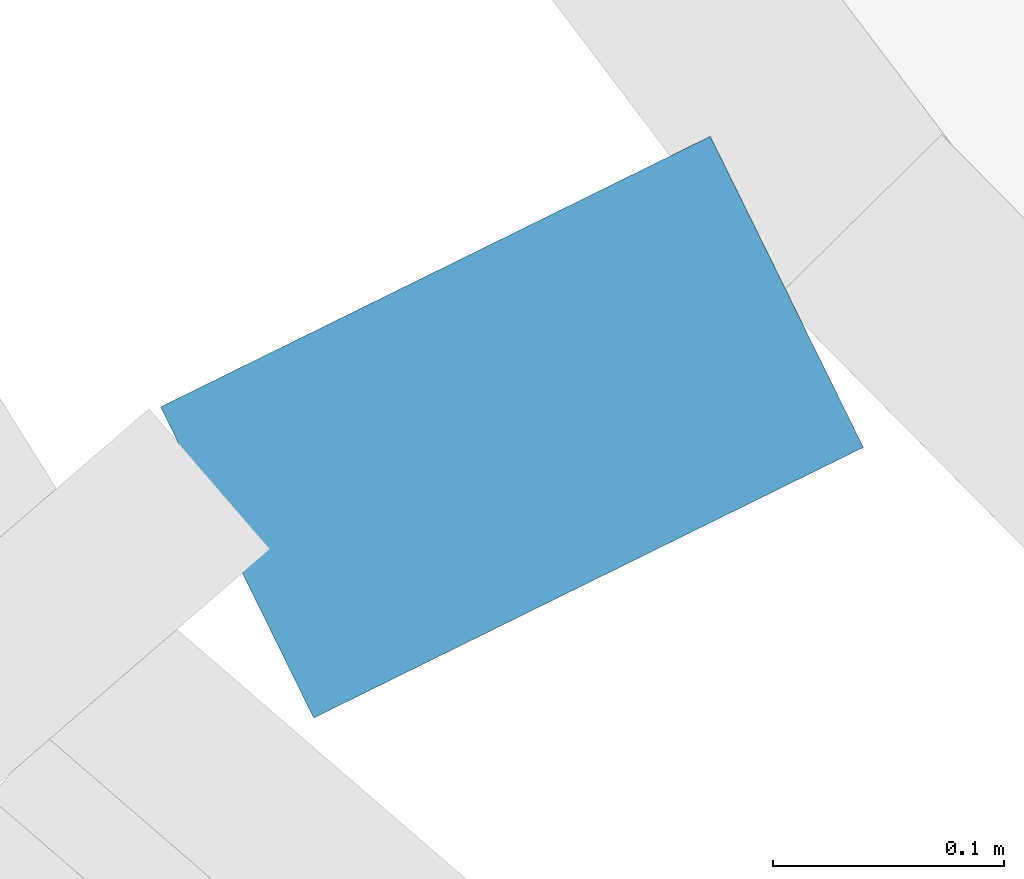
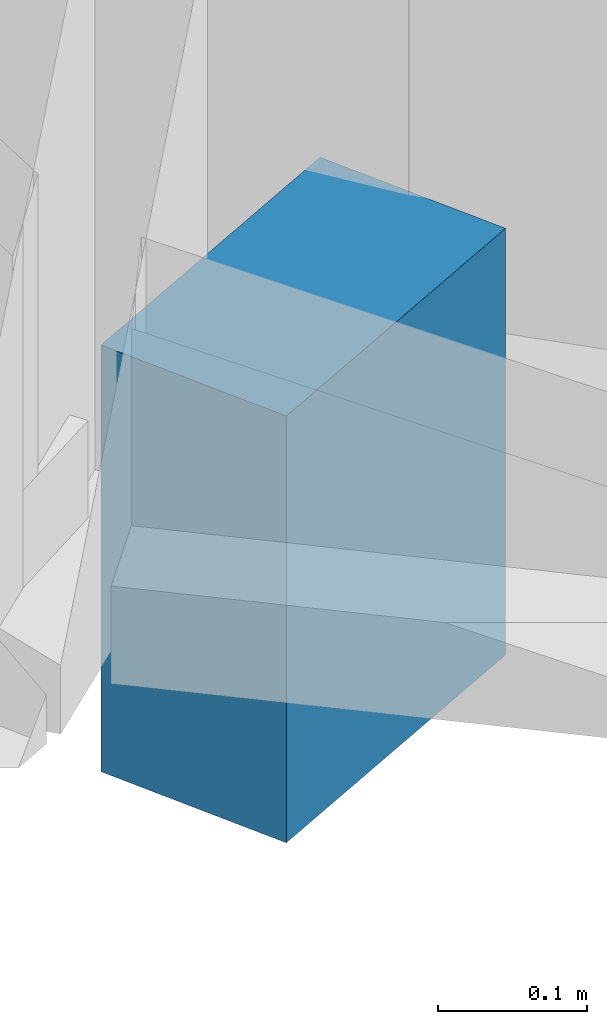
# One storey, part 16 of 28: 1 discrete accessory.
"""IFC4 building model written with IfcOpenShell, lengths in metres."""

import ifcopenshell
import ifcopenshell.guid

model = None  # the IFC model being written
_history = None  # IfcOwnerHistory: only IFC2X3 demands one
_inside = {}  # id of a spatial element -> (the spatial element, [elements in it])
_under = {}  # id of a project, library or spatial element -> (it, [spatial elements below it])
_declared = {}  # id of a project -> (the project, [libraries it declares])
_typed = {}  # id of a type object -> (the type object, [elements of that type])
_made_of = {}  # id of a material, layer set ... -> (it, [elements and type objects made of it])


def new_model(schema):
    """Start an empty IFC model of exactly this schema.

    Asked for "IFC4X3", IfcOpenShell would pick the latest addendum, in which some entities
    have other attributes; the version numbers below select the first issue.
    IFC2X3 requires an IfcOwnerHistory on every rooted entity: one is made here for all.
    """
    global model, _history
    if schema == "IFC4X3":
        model = ifcopenshell.file(schema_version=(4, 3, 0, 0))
    else:
        model = ifcopenshell.file(schema=schema)
    _inside.clear()
    _under.clear()
    _declared.clear()
    _typed.clear()
    _made_of.clear()
    _history = None
    if model.schema == "IFC2X3":
        org = make("IfcOrganization", Name="unknown")
        user = make(
            "IfcPersonAndOrganization",
            ThePerson=make("IfcPerson", FamilyName="unknown"),
            TheOrganization=org,
        )
        app = make(
            "IfcApplication",
            ApplicationDeveloper=org,
            Version="unknown",
            ApplicationFullName="unknown",
            ApplicationIdentifier="unknown",
        )
        _history = make(
            "IfcOwnerHistory",
            OwningUser=user,
            OwningApplication=app,
            ChangeAction="ADDED",
            CreationDate=0,
        )
    return model


def make(cls, **values):
    """One entity of the class cls with the attributes given. An attribute that is None is left unset."""
    return model.create_entity(
        cls, **{name: value for name, value in values.items() if value is not None}
    )


def rooted(cls, **values):
    """An entity with a GlobalId (a new one), such as an element, a storey or a relation."""
    return make(cls, GlobalId=ifcopenshell.guid.new(), OwnerHistory=_history, **values)


def si_unit(unit_type, name, prefix=None):
    """IfcSIUnit, for example si_unit("LENGTHUNIT", "METRE", prefix="MILLI")."""
    return make("IfcSIUnit", UnitType=unit_type, Prefix=prefix, Name=name)


def assignment(units):
    """IfcUnitAssignment: the units of a project."""
    return None if units is None else make("IfcUnitAssignment", Units=units)


def point(xyz):
    """IfcCartesianPoint."""
    return None if xyz is None else make("IfcCartesianPoint", Coordinates=xyz)


def direction(xyz):
    """IfcDirection."""
    return None if xyz is None else make("IfcDirection", DirectionRatios=xyz)


def frame(location, z_axis=None, x_axis=None):
    """IfcAxis2Placement3D, a coordinate frame: its origin and axes. An axis left out is left unset."""
    return make(
        "IfcAxis2Placement3D",
        Location=point(location),
        Axis=direction(z_axis),
        RefDirection=direction(x_axis),
    )


def frame_2d(location, x_axis=None):
    """IfcAxis2Placement2D, a coordinate frame in the plane: its origin and x axis."""
    return make(
        "IfcAxis2Placement2D", Location=point(location), RefDirection=direction(x_axis)
    )


def origin():
    """The frame at (0, 0, 0) with its axes left unset."""
    return frame((0.0, 0.0, 0.0))


def origin_2d():
    """The frame at (0, 0) in the plane with its x axis left unset."""
    return frame_2d((0.0, 0.0))


def place(relative_to, where):
    """IfcLocalPlacement: puts the frame where relative to a parent placement (None: the world)."""
    return make(
        "IfcLocalPlacement", PlacementRelTo=relative_to, RelativePlacement=where
    )


def context(
    kind, dimensions, precision=None, world=None, true_north=None, identifier=None
):
    """IfcGeometricRepresentationContext, for example the 3D "Model" context."""
    return make(
        "IfcGeometricRepresentationContext",
        ContextIdentifier=identifier,
        ContextType=kind,
        CoordinateSpaceDimension=dimensions,
        Precision=precision,
        WorldCoordinateSystem=world,
        TrueNorth=true_north,
    )


def subcontext(parent, identifier, kind, view, scale=None):
    """IfcGeometricRepresentationSubContext, for example "Body" below "Model"."""
    return make(
        "IfcGeometricRepresentationSubContext",
        ContextIdentifier=identifier,
        ContextType=kind,
        ParentContext=parent,
        TargetScale=scale,
        TargetView=view,
    )


def project(units=None, contexts=None):
    """IfcProject with its units and contexts."""
    return rooted(
        "IfcProject",
        Name="project",
        RepresentationContexts=contexts,
        UnitsInContext=assignment(units),
    )


def spatial(cls, under=None, at=None, **own):
    """A site, building, storey or space (cls), placed at a placement, below another one or the project."""
    s = rooted(cls, ObjectPlacement=at, **own)
    if under is not None:
        _under.setdefault(under.id(), (under, []))[1].append(s)
    return s


def profile(cls, at=None, kind="AREA", **sizes):
    """A parametric profile (cls). Its sizes go by their IFC names, for example OverallWidth=200.0."""
    return make(cls, ProfileType=kind, Position=at, **sizes)


def rectangle(**sizes):
    """IfcRectangleProfileDef."""
    return profile("IfcRectangleProfileDef", **sizes)


def extrude(swept, where, along, depth):
    """IfcExtrudedAreaSolid: the profile swept, set in the frame where, extruded along a direction by depth."""
    return make(
        "IfcExtrudedAreaSolid",
        SweptArea=swept,
        Position=where,
        ExtrudedDirection=direction(along),
        Depth=depth,
    )


def shape(context_of_items, identifier, shape_type, items):
    """IfcShapeRepresentation: the items that make up one representation, for example the "Body"."""
    return make(
        "IfcShapeRepresentation",
        ContextOfItems=context_of_items,
        RepresentationIdentifier=identifier,
        RepresentationType=shape_type,
        Items=items,
    )


def material(Name=None, Category=None):
    """IfcMaterial."""
    return make("IfcMaterial", Name=Name, Category=Category)


def made_of(thing, what):
    """Note that an element or type object is made of a material, layer set ...; save() writes the relation."""
    if what is not None:
        _made_of.setdefault(what.id(), (what, []))[1].append(thing)
    return thing


def type_object(cls, material=None, **own):
    """A type object (cls), such as IfcWallType, which elements share."""
    return made_of(rooted(cls, **own), material)


def element(
    cls,
    number,
    at=None,
    inside=None,
    cuts=None,
    type_object=None,
    material=None,
    context=None,
    identifier="Body",
    shape_type=None,
    held_by="IfcProductDefinitionShape",
    body=None,
    shapes=None,
    **own,
):
    """One element of the class cls, such as IfcWall. Its Tag is "e" and its number.

    at: its placement. inside: the storey or other place that contains it. cuts: it is an
    opening in that element (IfcRelVoidsElement). A single representation is given by context,
    identifier, shape_type and body (its items); several are given by shapes. held_by: the class
    of the entity that holds the representations. save() writes the other relations.
    """
    e = rooted(cls, Tag="e%d" % number, ObjectPlacement=at, **own)
    if body is not None:
        shapes = [shape(context, identifier, shape_type, body)]
    if shapes is not None:
        e.Representation = make(held_by, Representations=shapes)
    if inside is not None:
        _inside.setdefault(inside.id(), (inside, []))[1].append(e)
    if cuts is not None:
        rooted(
            "IfcRelVoidsElement", RelatingBuildingElement=cuts, RelatedOpeningElement=e
        )
    if type_object is not None:
        _typed.setdefault(type_object.id(), (type_object, []))[1].append(e)
    return made_of(e, material)


def aggregate(whole, parts):
    """IfcRelAggregates: a whole, such as a stair, and the parts it consists of."""
    return rooted("IfcRelAggregates", RelatingObject=whole, RelatedObjects=parts)


def save(model, path):
    """Write the relations noted so far, then the file.

    IfcRelAggregates (storeys below a building ...), IfcRelContainedInSpatialStructure (elements
    in a storey), IfcRelDefinesByType, IfcRelAssociatesMaterial and IfcRelDeclares: one each for
    every whole, place, type object, material and project.
    """
    for whole, parts in _under.values():
        aggregate(whole, parts)
    for where, things in _inside.values():
        rooted(
            "IfcRelContainedInSpatialStructure",
            RelatedElements=things,
            RelatingStructure=where,
        )
    for kind, things in _typed.values():
        rooted("IfcRelDefinesByType", RelatedObjects=things, RelatingType=kind)
    for what, things in _made_of.values():
        rooted("IfcRelAssociatesMaterial", RelatedObjects=things, RelatingMaterial=what)
    for by, libraries in _declared.values():
        rooted("IfcRelDeclares", RelatingContext=by, RelatedDefinitions=libraries)
    model.write(path)


model = new_model("IFC4")

# Units and contexts
model_context = context("Model", 3, precision=1e-05, world=origin(), true_north=direction((0.0, 1.0)))
body_context = subcontext(model_context, "Body", "Model", "MODEL_VIEW")
ifc_project = project(units=[si_unit("LENGTHUNIT", "METRE"), si_unit("AREAUNIT", "SQUARE_METRE"), si_unit("VOLUMEUNIT", "CUBIC_METRE"), si_unit("PLANEANGLEUNIT", "RADIAN"), si_unit("MASSUNIT", "GRAM", prefix="KILO")], contexts=[model_context])

# Site, building, storey
site_placement = place(None, origin())
site = spatial("IfcSite", under=ifc_project, at=site_placement, CompositionType="ELEMENT")
building_placement = place(site_placement, origin())
building = spatial("IfcBuilding", under=site, at=building_placement, Name="Ghaith Harvest Tower", CompositionType="ELEMENT")
storey_placement = place(building_placement, frame((0.0, 0.0, 5.0)))
storey = spatial("IfcBuildingStorey", under=building, at=storey_placement, Name="L01", CompositionType="ELEMENT", Elevation=5.0)

# Discrete accessory
ifc_material = material(Name="Stainless steel grade 1.4401", Category="steel")
discrete_accessory_type = type_object("IfcDiscreteAccessoryType", Name="CURTAIN WALL BRACKET 265", PredefinedType="BRACKET", material=ifc_material)
discrete_accessory_placement = place(storey_placement, frame((-36.73681640625, -18.08251953125, -0.25), z_axis=(0.0, 0.0, 1.0), x_axis=(-0.897201221415, -0.441621974421, 0.0)))
element("IfcDiscreteAccessory", 1, at=discrete_accessory_placement, inside=storey, type_object=discrete_accessory_type, Name="CW-P bracket 3 bay 12 L01", PredefinedType="BRACKET", context=body_context, shape_type="SweptSolid", body=[
    extrude(rectangle(XDim=0.264892578125, YDim=0.14990234375, at=origin_2d()), origin(), (0.0, 0.0, 1.0), 0.35009765625),
])

save(model, "model.ifc")
